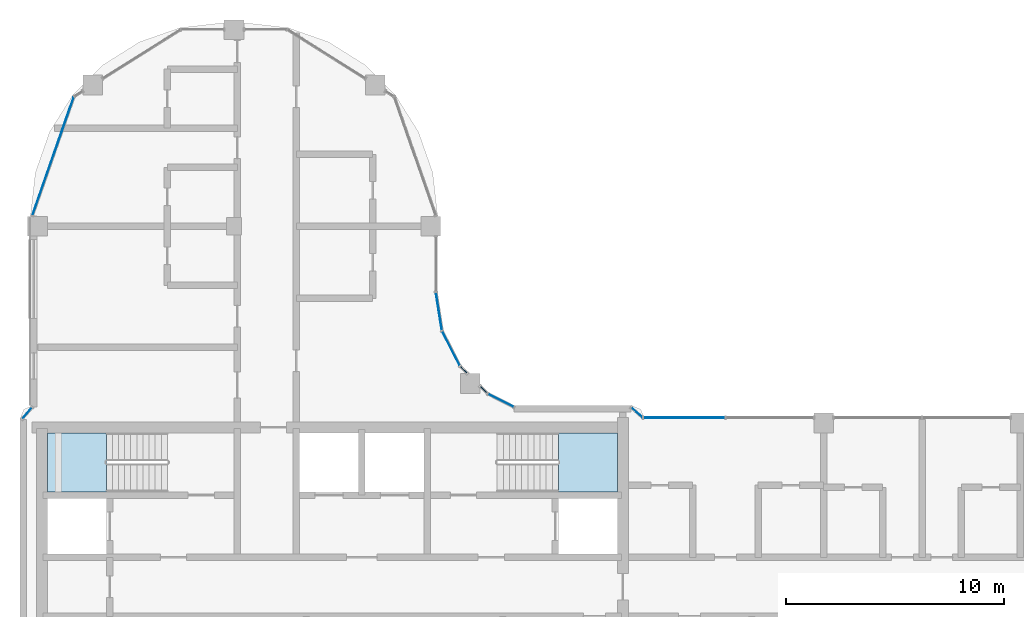
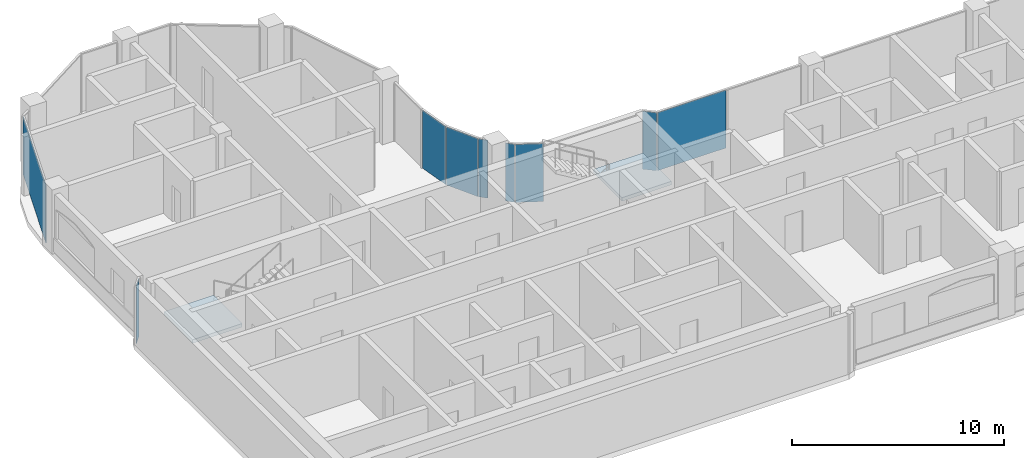
# One storey, part 6 of 17: 9 plates, 2 slabs, 8 elements without a shape of their own.
"""IFC4 building model written with IfcOpenShell, lengths in metres."""

from ifc_helpers import new_model, si_unit, direction, frame, origin, origin_2d, place, context, subcontext, project, spatial, polyline, rectangle, outline, extrude, material, layer, layer_set, type_object, element, aggregate, save


model = new_model("IFC4")

# Units and contexts
model_context = context("Model", 3, precision=1e-05, world=origin(), true_north=direction((0.0, 1.0)))
body_context = subcontext(model_context, "Body", "Model", "MODEL_VIEW")
ifc_project = project(units=[si_unit("LENGTHUNIT", "METRE"), si_unit("AREAUNIT", "SQUARE_METRE"), si_unit("VOLUMEUNIT", "CUBIC_METRE"), si_unit("PLANEANGLEUNIT", "RADIAN"), si_unit("MASSUNIT", "GRAM", prefix="KILO")], contexts=[model_context])

# Site, building, storey
site_placement = place(None, origin())
site = spatial("IfcSite", under=ifc_project, at=site_placement, CompositionType="ELEMENT")
building_placement = place(site_placement, origin())
building = spatial("IfcBuilding", under=site, at=building_placement, Name="Ogive Portal Towers", CompositionType="ELEMENT")
storey_placement = place(building_placement, frame((0.0, 0.0, 221.699951171875)))
storey = spatial("IfcBuildingStorey", under=building, at=storey_placement, Name="L55", CompositionType="ELEMENT", Elevation=221.699951171875)

# Curtain wall, plate
ifc_material_1 = material(Name="Glass, clear low-iron insulated glazing", Category="glass")
curtain_wall_type = type_object("IfcCurtainWallType", Name="CW FRONT RIBBON 4500", PredefinedType="NOTDEFINED", material=ifc_material_1)
curtain_wall_1_placement = place(storey_placement, origin())
curtain_wall_1 = element("IfcCurtainWall", 1, at=curtain_wall_1_placement, inside=storey, type_object=curtain_wall_type, Name="A:L55:f26:cw0~3", PredefinedType="NOTDEFINED")
ifc_layer_1 = layer(ifc_material_1, 0.028076171875)
ifc_layer_set_1 = layer_set([ifc_layer_1], Name="CW PANEL IGU 28")
plate_type = type_object("IfcPlateType", Name="CW PANEL IGU 28", PredefinedType="CURTAIN_PANEL", material=ifc_layer_set_1)
plate_1_placement = place(storey_placement, frame((61.110107421875, 39.739990234375, 0.0), z_axis=(0.0, 0.0, 1.0), x_axis=(-1.0, 0.0, 0.0)))
plate_1 = element("IfcPlate", 2, at=plate_1_placement, type_object=plate_type, Name="panel", PredefinedType="CURTAIN_PANEL", context=body_context, shape_type="SweptSolid", body=[
    extrude(rectangle(XDim=3.7197265625, YDim=0.028076171875, at=origin_2d()), origin(), (0.0, 0.0, 1.0), 3.340087890625),
])
aggregate(curtain_wall_1, [plate_1])

curtain_wall_2_placement = place(storey_placement, origin())
curtain_wall_2 = element("IfcCurtainWall", 3, at=curtain_wall_2_placement, inside=storey, type_object=curtain_wall_type, Name="A:L55:f00:cwa", PredefinedType="NOTDEFINED")
plate_2_placement = place(storey_placement, frame((58.945068359375, 39.97998046875, 0.0), z_axis=(0.0, 0.0, 1.0), x_axis=(-0.753598923768, 0.657334513087, 0.0)))
plate_2 = element("IfcPlate", 4, at=plate_2_placement, type_object=plate_type, Name="panel", PredefinedType="CURTAIN_PANEL", context=body_context, shape_type="SweptSolid", body=[
    extrude(rectangle(XDim=0.670166015625, YDim=0.028076171875, at=origin_2d()), origin(), (0.0, 0.0, 1.0), 3.340087890625),
])
aggregate(curtain_wall_2, [plate_2])

# Curtain wall, plates
curtain_wall_3_placement = place(storey_placement, origin())
curtain_wall_3 = element("IfcCurtainWall", 5, at=curtain_wall_3_placement, inside=storey, type_object=curtain_wall_type, Name="A:L55:f02:cwa~0", PredefinedType="NOTDEFINED")
plate_3_placement = place(storey_placement, frame((52.721435546875, 40.529541015625, 0.0), z_axis=(0.0, 0.0, 1.0), x_axis=(-0.891006524188, 0.45399049974, 0.0)))
plate_3 = element("IfcPlate", 6, at=plate_3_placement, type_object=plate_type, Name="panel", PredefinedType="CURTAIN_PANEL", context=body_context, shape_type="SweptSolid", body=[
    extrude(rectangle(XDim=1.303955078125, YDim=0.028076171875, at=origin_2d()), origin(), (0.0, 0.0, 1.0), 3.340087890625),
])
plate_4_placement = place(storey_placement, frame((51.936767578125, 41.01611328125, 0.0), z_axis=(0.0, 0.0, 1.0), x_axis=(-0.707106781187, 0.707106781187, 0.0)))
plate_4 = element("IfcPlate", 7, at=plate_4_placement, type_object=plate_type, Name="panel", PredefinedType="CURTAIN_PANEL", context=body_context, shape_type="SweptSolid", body=[
    extrude(rectangle(XDim=0.440185546875, YDim=0.028076171875, at=origin_2d()), origin(), (0.0, 0.0, 1.0), 3.340087890625),
])
aggregate(curtain_wall_3, [plate_3, plate_4])

curtain_wall_4_placement = place(storey_placement, origin())
curtain_wall_4 = element("IfcCurtainWall", 8, at=curtain_wall_4_placement, inside=storey, type_object=curtain_wall_type, Name="A:L55:f02:cwa~1", PredefinedType="NOTDEFINED")
plate_5_placement = place(storey_placement, frame((51.01611328125, 41.936767578125, 0.0), z_axis=(0.0, 0.0, 1.0), x_axis=(-0.707106781187, 0.707106781187, 0.0)))
plate_5 = element("IfcPlate", 9, at=plate_5_placement, type_object=plate_type, Name="panel", PredefinedType="CURTAIN_PANEL", context=body_context, shape_type="SweptSolid", body=[
    extrude(rectangle(XDim=0.440185546875, YDim=0.028076171875, at=origin_2d()), origin(), (0.0, 0.0, 1.0), 3.340087890625),
])
plate_6_placement = place(storey_placement, frame((50.43017578125, 42.916748046875, 0.0), z_axis=(0.0, 0.0, 1.0), x_axis=(-0.45399049974, 0.891006524188, 0.0)))
plate_6 = element("IfcPlate", 10, at=plate_6_placement, type_object=plate_type, Name="panel", PredefinedType="CURTAIN_PANEL", context=body_context, shape_type="SweptSolid", body=[
    extrude(rectangle(XDim=1.742431640625, YDim=0.028076171875, at=origin_2d()), origin(), (0.0, 0.0, 1.0), 3.340087890625),
])
plate_7_placement = place(storey_placement, frame((49.88037109375, 44.606689453125, 0.0), z_axis=(0.0, 0.0, 1.0), x_axis=(-0.15643446504, 0.987688340595, 0.0)))
plate_7 = element("IfcPlate", 11, at=plate_7_placement, type_object=plate_type, Name="panel", PredefinedType="CURTAIN_PANEL", context=body_context, shape_type="SweptSolid", body=[
    extrude(rectangle(XDim=1.736083984375, YDim=0.028076171875, at=origin_2d()), origin(), (0.0, 0.0, 1.0), 3.340087890625),
])
aggregate(curtain_wall_4, [plate_5, plate_6, plate_7])

# Curtain wall, plate
curtain_wall_5_placement = place(storey_placement, origin())
curtain_wall_5 = element("IfcCurtainWall", 12, at=curtain_wall_5_placement, inside=storey, type_object=curtain_wall_type, Name="A:L55:f07:cwa~3", PredefinedType="NOTDEFINED")
plate_8_placement = place(storey_placement, frame((32.21533203125, 51.71630859375, 0.0), z_axis=(0.0, 0.0, 1.0), x_axis=(-0.33027906196, -0.943883330307, 0.0)))
plate_8 = element("IfcPlate", 13, at=plate_8_placement, type_object=plate_type, Name="panel", PredefinedType="CURTAIN_PANEL", context=body_context, shape_type="SweptSolid", body=[
    extrude(rectangle(XDim=5.724609375, YDim=0.028076171875, at=origin_2d()), origin(), (0.0, 0.0, 1.0), 3.340087890625),
])
aggregate(curtain_wall_5, [plate_8])

curtain_wall_6_placement = place(storey_placement, origin())
curtain_wall_6 = element("IfcCurtainWall", 14, at=curtain_wall_6_placement, inside=storey, type_object=curtain_wall_type, Name="A:L55:f13:cwa", PredefinedType="NOTDEFINED")
plate_9_placement = place(storey_placement, frame((31.02001953125, 39.945068359375, 0.0), z_axis=(0.0, 0.0, 1.0), x_axis=(-0.657334513087, -0.753598923768, 0.0)))
plate_9 = element("IfcPlate", 15, at=plate_9_placement, type_object=plate_type, Name="panel", PredefinedType="CURTAIN_PANEL", context=body_context, shape_type="SweptSolid", body=[
    extrude(rectangle(XDim=0.670166015625, YDim=0.028076171875, at=origin_2d()), origin(), (0.0, 0.0, 1.0), 3.340087890625),
])
aggregate(curtain_wall_6, [plate_9])

# Stair, slab
ifc_material_2 = material(Name="Concrete C40/50", Category="concrete")
stair_type = type_object("IfcStairType", Name="INT-STAIR", PredefinedType="HALF_TURN_STAIR", material=ifc_material_2)
stair_1_placement = place(storey_placement, origin())
stair_1 = element("IfcStair", 16, at=stair_1_placement, inside=storey, type_object=stair_type, Name="L55 Exit Stair ST-A1", PredefinedType="HALF_TURN_STAIR")
ifc_layer_2 = layer(ifc_material_2, 0.199951171875)
ifc_layer_set_2 = layer_set([ifc_layer_2], Name="INT-LANDING")
slab_type = type_object("IfcSlabType", Name="INT-LANDING", PredefinedType="LANDING", material=ifc_layer_set_2)
slab_1_placement = place(storey_placement, frame((0.0, 0.0, 1.650146484375)))
slab_1 = element("IfcSlab", 17, at=slab_1_placement, type_object=slab_type, Name="ST-A1 landing 1", PredefinedType="LANDING", context=body_context, shape_type="SweptSolid", body=[
    extrude(outline(polyline([(34.64990234375, 39.050048828125), (31.949951171875, 39.050048828125), (31.949951171875, 36.35009765625), (34.64990234375, 36.35009765625), (34.64990234375, 39.050048828125)])), origin(), (0.0, 0.0, 1.0), 0.199951171875),
])
aggregate(stair_1, [slab_1])

stair_2_placement = place(storey_placement, origin())
stair_2 = element("IfcStair", 18, at=stair_2_placement, inside=storey, type_object=stair_type, Name="L55 Exit Stair ST-A2", PredefinedType="HALF_TURN_STAIR")
slab_2_placement = place(storey_placement, frame((0.0, 0.0, 1.650146484375)))
slab_2 = element("IfcSlab", 19, at=slab_2_placement, type_object=slab_type, Name="ST-A2 landing 1", PredefinedType="LANDING", context=body_context, shape_type="SweptSolid", body=[
    extrude(outline(polyline([(55.35009765625, 36.35009765625), (58.050048828125, 36.35009765625), (58.050048828125, 39.050048828125), (55.35009765625, 39.050048828125), (55.35009765625, 36.35009765625)])), origin(), (0.0, 0.0, 1.0), 0.199951171875),
])
aggregate(stair_2, [slab_2])

save(model, "model.ifc")
